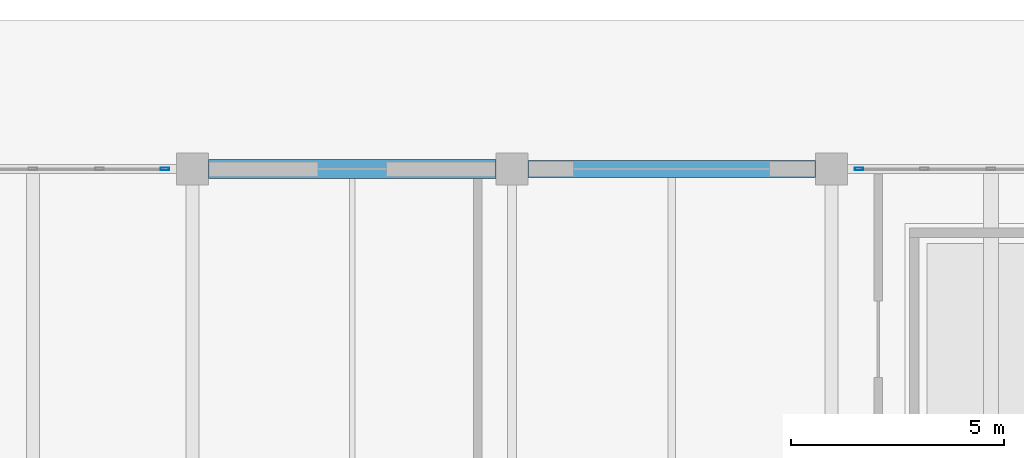
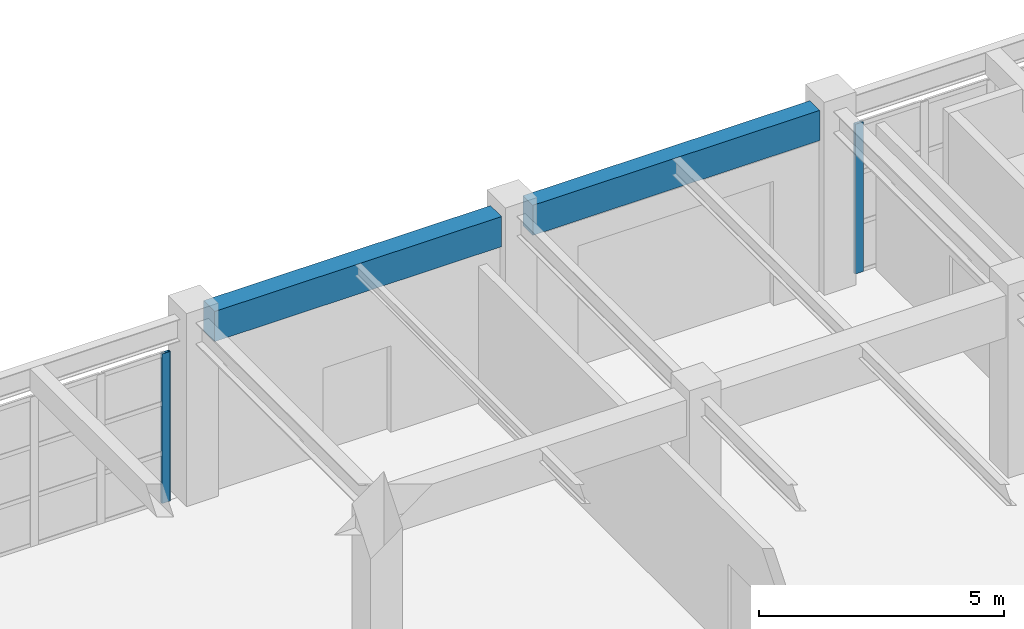
# One storey, part 67 of 122: 2 beams, 2 members, 2 elements without a shape of their own.
"""IFC4 building model written with IfcOpenShell, lengths in metres."""

from ifc_helpers import new_model, si_unit, direction, frame, origin, origin_2d, place, context, subcontext, project, spatial, rectangle, hollow_rectangle, extrude, material, material_profile, profile_set, type_object, element, aggregate, save


model = new_model("IFC4")

# Units and contexts
model_context = context("Model", 3, precision=1e-05, world=origin(), true_north=direction((0.0, 1.0)))
body_context = subcontext(model_context, "Body", "Model", "MODEL_VIEW")
ifc_project = project(units=[si_unit("LENGTHUNIT", "METRE"), si_unit("AREAUNIT", "SQUARE_METRE"), si_unit("VOLUMEUNIT", "CUBIC_METRE"), si_unit("PLANEANGLEUNIT", "RADIAN"), si_unit("MASSUNIT", "GRAM", prefix="KILO")], contexts=[model_context])

# Site, building, storey
site_placement = place(None, origin())
site = spatial("IfcSite", under=ifc_project, at=site_placement, CompositionType="ELEMENT")
building_placement = place(site_placement, origin())
building = spatial("IfcBuilding", under=site, at=building_placement, Name="Qasida Concert Hall", CompositionType="ELEMENT")
storey_placement = place(building_placement, origin())
storey = spatial("IfcBuildingStorey", under=building, at=storey_placement, Name="L00", CompositionType="ELEMENT", Elevation=0.0)

# Beams
ifc_material_1 = material(Name="Concrete C40/50", Category="concrete")
ifc_material_profile_1 = material_profile(ifc_material_1, rectangle(XDim=0.39990234375, YDim=0.75, at=origin_2d()), Name="RC 400x750")
ifc_profile_set_1 = profile_set([ifc_material_profile_1], Name="Concrete C40/50")
beam_type_1 = type_object("IfcBeamType", Name="BM-SP1", PredefinedType="SPANDREL", material=ifc_profile_set_1)
beam_1_placement = place(storey_placement, frame((135.375, 112.5, 4.125), z_axis=(1.0, 0.0, 0.0), x_axis=(0.0, 1.0, 0.0)))
element("IfcBeam", 1, at=beam_1_placement, inside=storey, type_object=beam_type_1, Name="Primary girder 0621", PredefinedType="SPANDREL", context=body_context, shape_type="SweptSolid", body=[
    extrude(rectangle(XDim=0.39990234375, YDim=0.75, at=origin_2d()), origin(), (0.0, 0.0, 1.0), 6.75),
])
ifc_material_profile_2 = material_profile(ifc_material_1, rectangle(XDim=0.449951171875, YDim=0.75, at=origin_2d()), Name="RC 450x750")
ifc_profile_set_2 = profile_set([ifc_material_profile_2], Name="Concrete C40/50")
beam_type_2 = type_object("IfcBeamType", Name="BM-SP4", PredefinedType="SPANDREL", material=ifc_profile_set_2)
beam_2_placement = place(storey_placement, frame((127.875, 112.5, 4.125), z_axis=(1.0, 0.0, 0.0), x_axis=(0.0, 1.0, 0.0)))
element("IfcBeam", 2, at=beam_2_placement, inside=storey, type_object=beam_type_2, Name="Primary girder 0620", PredefinedType="SPANDREL", context=body_context, shape_type="SweptSolid", body=[
    extrude(rectangle(XDim=0.449951171875, YDim=0.75, at=origin_2d()), origin(), (0.0, 0.0, 1.0), 6.75),
])

# Curtain wall, member
ifc_material_2 = material(Name="Architectural bronze-anodized aluminium and low-E glass", Category="aluminium")
curtain_wall_type = type_object("IfcCurtainWallType", Name="CW-04", PredefinedType="NOTDEFINED", material=ifc_material_2)
curtain_wall_1_placement = place(storey_placement, origin())
curtain_wall_1 = element("IfcCurtainWall", 3, at=curtain_wall_1_placement, inside=storey, type_object=curtain_wall_type, Name="L00 curtain wall CW-04 0152", PredefinedType="NOTDEFINED")
ifc_material_3 = material(Name="Architectural bronze-anodized aluminium EN AW-6063", Category="aluminium")
ifc_material_profile_3 = material_profile(ifc_material_3, hollow_rectangle(XDim=0.06494140625, YDim=0.199951171875, WallThickness=0.0048828125, InnerFilletRadius=0.0048828125, OuterFilletRadius=0.010009765625, at=origin_2d()), Name="CWM 200x65x5")
ifc_profile_set_3 = profile_set([ifc_material_profile_3], Name="Architectural bronze-anodized aluminium EN AW-6063")
member_type = type_object("IfcMemberType", Name="MB-CWM-2", PredefinedType="MULLION", material=ifc_profile_set_3)
member_1_placement = place(storey_placement, frame((126.847412109375, 112.5, 0.0), z_axis=(0.0, 0.0, 1.0), x_axis=(0.0, 1.0, 0.0)))
member_1 = element("IfcMember", 4, at=member_1_placement, type_object=member_type, Name="CW-04 mullion 5", PredefinedType="MULLION", context=body_context, shape_type="SweptSolid", body=[
    extrude(hollow_rectangle(XDim=0.06494140625, YDim=0.199951171875, WallThickness=0.0048828125, InnerFilletRadius=0.0048828125, OuterFilletRadius=0.010009765625, at=origin_2d()), origin(), (0.0, 0.0, 1.0), 3.719970703125),
])
aggregate(curtain_wall_1, [member_1])

curtain_wall_2_placement = place(storey_placement, origin())
curtain_wall_2 = element("IfcCurtainWall", 5, at=curtain_wall_2_placement, inside=storey, type_object=curtain_wall_type, Name="L00 curtain wall CW-04 0154", PredefinedType="NOTDEFINED")
member_2_placement = place(storey_placement, frame((143.152587890625, 112.5, 0.0), z_axis=(0.0, 0.0, 1.0), x_axis=(0.0, 1.0, 0.0)))
member_2 = element("IfcMember", 6, at=member_2_placement, type_object=member_type, Name="CW-04 mullion 1", PredefinedType="MULLION", context=body_context, shape_type="SweptSolid", body=[
    extrude(hollow_rectangle(XDim=0.06494140625, YDim=0.199951171875, WallThickness=0.0048828125, InnerFilletRadius=0.0048828125, OuterFilletRadius=0.010009765625, at=origin_2d()), origin(), (0.0, 0.0, 1.0), 3.719970703125),
])
aggregate(curtain_wall_2, [member_2])

save(model, "model.ifc")
